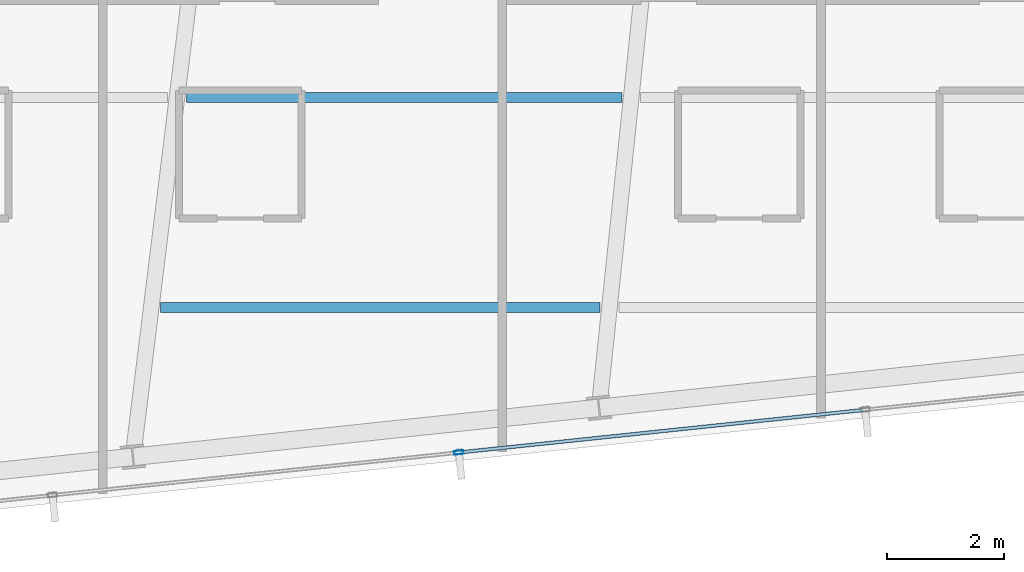
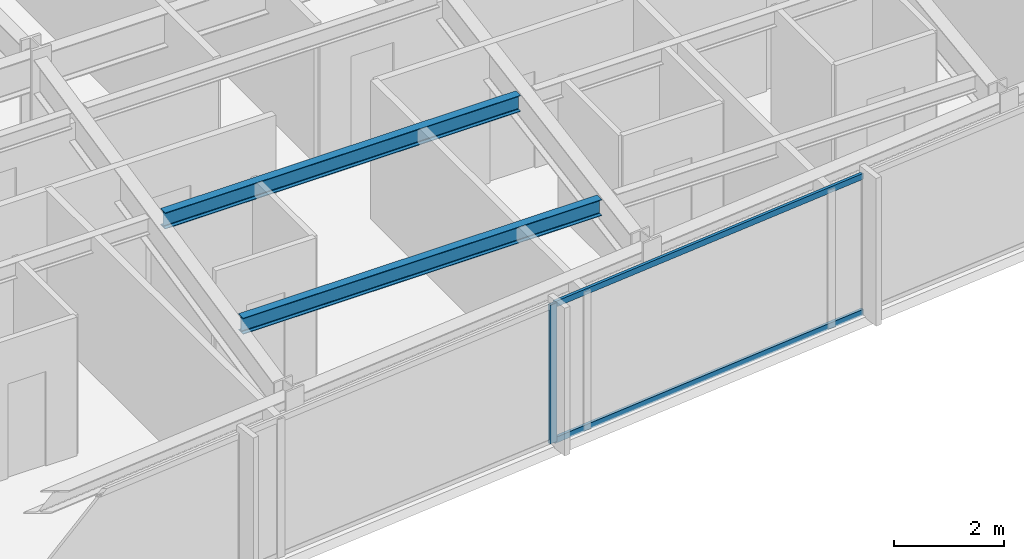
# One storey, part 7 of 33: 3 members, 2 beams, 1 element without a shape of its own.
"""IFC4 building model written with IfcOpenShell, lengths in metres."""

from ifc_helpers import new_model, si_unit, direction, frame, origin, origin_2d, place, context, subcontext, project, spatial, hollow_rectangle, i_section, extrude, material, material_profile, profile_set, type_object, element, aggregate, save


model = new_model("IFC4")

# Units and contexts
model_context = context("Model", 3, precision=1e-05, world=origin(), true_north=direction((0.0, 1.0)))
body_context = subcontext(model_context, "Body", "Model", "MODEL_VIEW")
ifc_project = project(units=[si_unit("LENGTHUNIT", "METRE"), si_unit("AREAUNIT", "SQUARE_METRE"), si_unit("VOLUMEUNIT", "CUBIC_METRE"), si_unit("PLANEANGLEUNIT", "RADIAN"), si_unit("MASSUNIT", "GRAM", prefix="KILO")], contexts=[model_context])

# Site, building, storey
site_placement = place(None, origin())
site = spatial("IfcSite", under=ifc_project, at=site_placement, CompositionType="ELEMENT")
building_placement = place(site_placement, origin())
building = spatial("IfcBuilding", under=site, at=building_placement, Name="Yelkora Congress Tower", CompositionType="ELEMENT")
storey_placement = place(building_placement, frame((0.0, 0.0, 234.199951171875)))
storey = spatial("IfcBuildingStorey", under=building, at=storey_placement, Name="L65", CompositionType="ELEMENT", Elevation=234.199951171875)

# Beams
ifc_material_1 = material(Name="Steel S355J2", Category="steel")
ifc_material_profile_1 = material_profile(ifc_material_1, i_section(OverallWidth=0.169921875, OverallDepth=0.360107421875, WebThickness=0.008056640625, FlangeThickness=0.0126953125, FilletRadius=0.01806640625, at=origin_2d()), Name="IPE 360")
ifc_profile_set_1 = profile_set([ifc_material_profile_1], Name="Steel S355J2")
beam_type = type_object("IfcBeamType", Name="BM-JOIST-IPE360", PredefinedType="JOIST", material=ifc_profile_set_1)
beam_1_placement = place(storey_placement, frame((29.76220703125, 16.07861328125, 2.900146484375), z_axis=(1.0, 0.0, 0.0), x_axis=(0.0, 1.0, 0.0)))
element("IfcBeam", 1, at=beam_1_placement, inside=storey, type_object=beam_type, Name="L65 Composite Floor Joist 1", PredefinedType="JOIST", context=body_context, shape_type="SweptSolid", body=[
    extrude(i_section(OverallWidth=0.169921875, OverallDepth=0.360107421875, WebThickness=0.008056640625, FlangeThickness=0.0126953125, FilletRadius=0.01806640625, at=origin_2d()), origin(), (0.0, 0.0, 1.0), 7.53369140625),
])
beam_2_placement = place(storey_placement, frame((30.203369140625, 19.678466796875, 2.900146484375), z_axis=(1.0, 0.0, 0.0), x_axis=(0.0, 1.0, 0.0)))
element("IfcBeam", 2, at=beam_2_placement, inside=storey, type_object=beam_type, Name="L65 Composite Floor Joist 4", PredefinedType="JOIST", context=body_context, shape_type="SweptSolid", body=[
    extrude(i_section(OverallWidth=0.169921875, OverallDepth=0.360107421875, WebThickness=0.008056640625, FlangeThickness=0.0126953125, FilletRadius=0.01806640625, at=origin_2d()), origin(), (0.0, 0.0, 1.0), 7.465087890625),
])

# Curtain wall, members
ifc_material_2 = material(Name="Anodised aluminium and insulated glass", Category="aluminium")
curtain_wall_type = type_object("IfcCurtainWallType", Name="CW-SYS-B4", PredefinedType="NOTDEFINED", material=ifc_material_2)
curtain_wall_placement = place(storey_placement, origin())
curtain_wall = element("IfcCurtainWall", 3, at=curtain_wall_placement, inside=storey, type_object=curtain_wall_type, Name="L65 Unitised Curtain Wall 20", PredefinedType="NOTDEFINED")
ifc_material_3 = material(Name="Anodised aluminium 6063-T6", Category="aluminium")
ifc_material_profile_2 = material_profile(ifc_material_3, hollow_rectangle(XDim=0.06494140625, YDim=0.159912109375, WallThickness=0.00390625, at=origin_2d()), Name="ALU 65x160x4")
ifc_profile_set_2 = profile_set([ifc_material_profile_2], Name="Anodised aluminium 6063-T6")
member_type_1 = type_object("IfcMemberType", Name="MEM-ML-B4", PredefinedType="MULLION", material=ifc_profile_set_2)
member_1_placement = place(storey_placement, frame((34.87353515625, 13.592529296875, 0.0), z_axis=(0.0, 0.0, 1.0), x_axis=(0.104526664994, -0.994522084373, 0.0)))
member_1 = element("IfcMember", 4, at=member_1_placement, type_object=member_type_1, Name="CW-B4 mullion 6", PredefinedType="MULLION", context=body_context, shape_type="SweptSolid", body=[
    extrude(hollow_rectangle(XDim=0.06494140625, YDim=0.159912109375, WallThickness=0.00390625, at=origin_2d()), origin(), (0.0, 0.0, 1.0), 3.080078125),
])
ifc_material_profile_3 = material_profile(ifc_material_3, hollow_rectangle(XDim=0.06005859375, YDim=0.1298828125, WallThickness=0.00390625, at=origin_2d()), Name="ALU 60x130x4")
ifc_profile_set_3 = profile_set([ifc_material_profile_3], Name="Anodised aluminium 6063-T6")
member_type_2 = type_object("IfcMemberType", Name="MEM-TR-B4", PredefinedType="USERDEFINED", material=ifc_profile_set_3)
member_2_placement = place(storey_placement, frame((41.8056640625, 14.321044921875, 0.030029296875), z_axis=(-0.99452317859, -0.104516253509, 0.0), x_axis=(0.104516253509, -0.99452317859, 0.0)))
member_2 = element("IfcMember", 5, at=member_2_placement, type_object=member_type_2, Name="CW-B4 transom 5.1", ObjectType="TRANSOM", PredefinedType="USERDEFINED", context=body_context, shape_type="SweptSolid", body=[
    extrude(hollow_rectangle(XDim=0.06005859375, YDim=0.1298828125, WallThickness=0.00390625, at=origin_2d()), origin(), (0.0, 0.0, 1.0), 6.937744140625),
])
member_3_placement = place(storey_placement, frame((41.8056640625, 14.321044921875, 3.050048828125), z_axis=(-0.99452317859, -0.104516253509, 0.0), x_axis=(0.104516253509, -0.99452317859, 0.0)))
member_3 = element("IfcMember", 6, at=member_3_placement, type_object=member_type_2, Name="CW-B4 transom 5.2", ObjectType="TRANSOM", PredefinedType="USERDEFINED", context=body_context, shape_type="SweptSolid", body=[
    extrude(hollow_rectangle(XDim=0.06005859375, YDim=0.1298828125, WallThickness=0.00390625, at=origin_2d()), origin(), (0.0, 0.0, 1.0), 6.937744140625),
])
aggregate(curtain_wall, [member_1, member_2, member_3])

save(model, "model.ifc")
